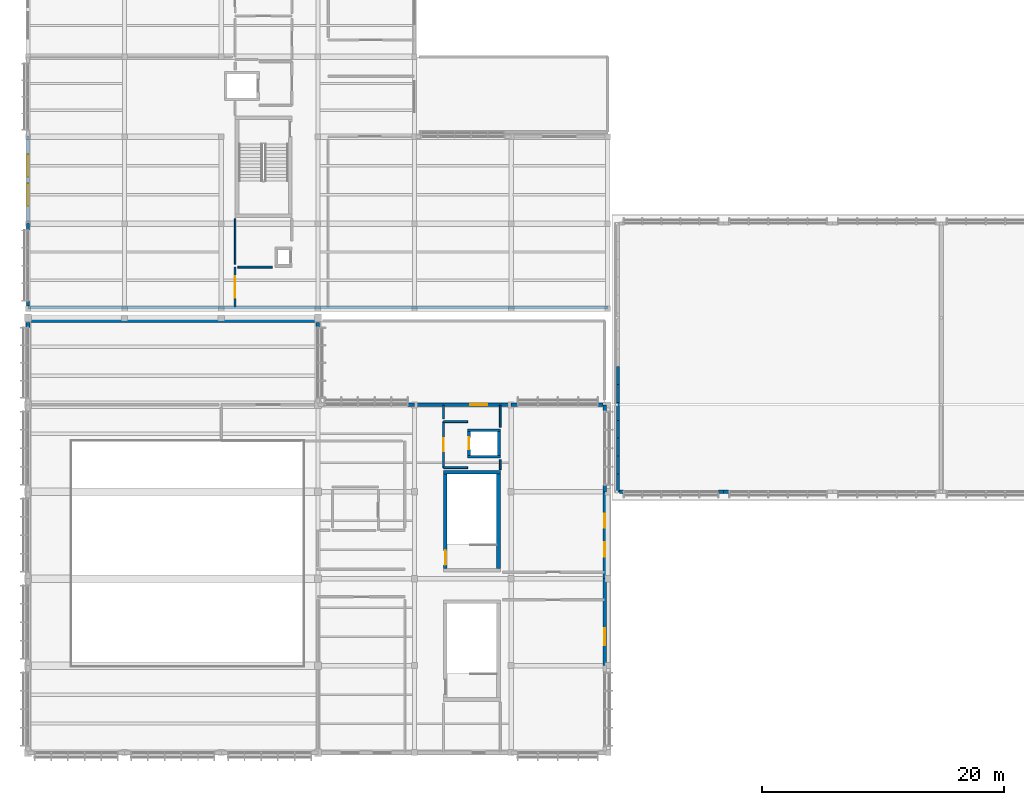
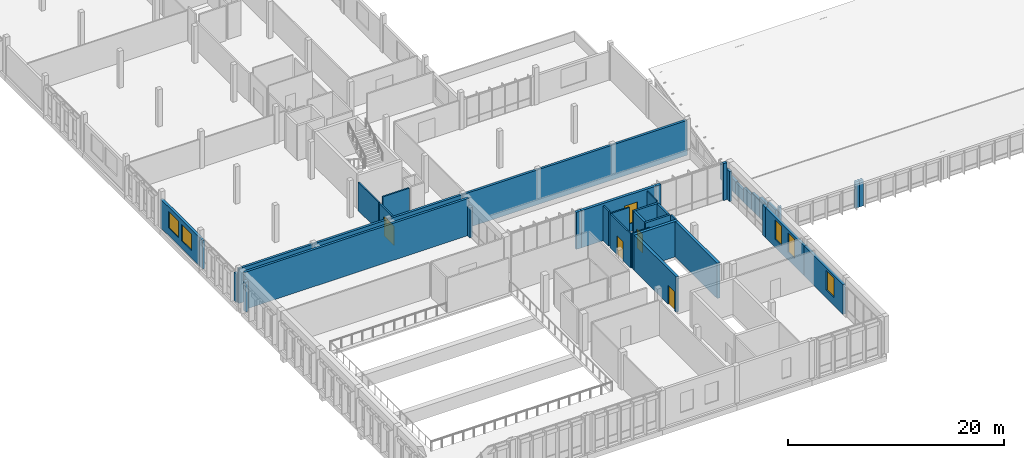
# One storey, part 161 of 182: 41 walls, 6 windows, 4 doors, 10 openings.
"""IFC4 building model written with IfcOpenShell, lengths in metres."""

from ifc_helpers import new_model, si_unit, direction, frame, frame_2d, origin, place, context, subcontext, project, spatial, rectangle, extrude, material, layer, layer_set, type_object, element, fill, save


model = new_model("IFC4")

# Units and contexts
model_context = context("Model", 3, precision=1e-05, world=origin(), true_north=direction((0.0, 1.0)))
body_context = subcontext(model_context, "Body", "Model", "MODEL_VIEW")
ifc_project = project(units=[si_unit("LENGTHUNIT", "METRE"), si_unit("AREAUNIT", "SQUARE_METRE"), si_unit("VOLUMEUNIT", "CUBIC_METRE"), si_unit("PLANEANGLEUNIT", "RADIAN"), si_unit("MASSUNIT", "GRAM", prefix="KILO")], contexts=[model_context])

# Site, building, storey
site_placement = place(None, origin())
site = spatial("IfcSite", under=ifc_project, at=site_placement, CompositionType="ELEMENT")
building_placement = place(site_placement, origin())
building = spatial("IfcBuilding", under=site, at=building_placement, Name="Chiffa Square Polytechnic", CompositionType="ELEMENT")
storey_placement = place(building_placement, frame((0.0, 0.0, 9.60009765625)))
storey = spatial("IfcBuildingStorey", under=building, at=storey_placement, Name="L02", CompositionType="ELEMENT", Elevation=9.60009765625)

# Wall
ifc_material_1 = material(Name="Concrete C40/50", Category="concrete")
ifc_layer_1 = layer(ifc_material_1, 0.300048828125, Name="Concrete C40/50")
ifc_layer_set_1 = layer_set([ifc_layer_1], Name="Concrete C40/50")
wall_type_1 = type_object("IfcWallType", Name="WL-CORE-300", PredefinedType="SHEAR", material=ifc_layer_set_1)
wall_1_placement = place(storey_placement, frame((34.39990234375, 23.199951171875, 0.0), z_axis=(0.0, 0.0, 1.0), x_axis=(1.0, 0.0, 0.0)))
element("IfcWall", 1, at=wall_1_placement, inside=storey, type_object=wall_type_1, Name="Core or enclosure wall WC-CORE-V3B-L02-NORTH", PredefinedType="SHEAR", context=body_context, shape_type="SweptSolid", body=[
    extrude(rectangle(XDim=4.7001953125, YDim=0.300048828125, at=frame_2d((2.35009765625, 0.0))), origin(), (0.0, 0.0, 1.0), 4.0),
])

# Wall, opening, door
wall_2_placement = place(storey_placement, frame((34.550048828125, 15.25, 0.0), z_axis=(0.0, 0.0, 1.0), x_axis=(0.0, 1.0, 0.0)))
wall_2 = element("IfcWall", 2, at=wall_2_placement, inside=storey, type_object=wall_type_1, Name="Core or enclosure wall WC-CORE-V3B-L02-WEST", PredefinedType="SHEAR", context=body_context, shape_type="SweptSolid", body=[
    extrude(rectangle(XDim=7.800048828125, YDim=0.300048828125, at=frame_2d((3.89990234375, 0.0))), origin(), (0.0, 0.0, 1.0), 4.0),
])
opening_1_placement = place(wall_2_placement, frame((0.300048828125, 0.0, 0.0)))
opening_1 = element("IfcOpeningElement", 3, at=opening_1_placement, cuts=wall_2, Name="Opening DS-L02-026", PredefinedType="OPENING", context=body_context, shape_type="SweptSolid", body=[
    extrude(rectangle(XDim=1.199951171875, YDim=2.14990234375, at=frame_2d((0.60009765625, 1.074951171875))), frame((0.0, 0.16015625, 0.0), z_axis=(0.0, -1.0, 0.0), x_axis=(1.0, 0.0, 0.0)), (0.0, 0.0, 1.0), 0.320068359375),
])
ifc_material_2 = material(Name="Fire-rated painted steel leaf", Category="steel")
door_type_1 = type_object("IfcDoorType", Name="DR-STAIR-1200", OperationType="NOTDEFINED", PredefinedType="DOOR", material=ifc_material_2)
door_1_placement = place(opening_1_placement, origin())
door_1 = element("IfcDoor", 4, at=door_1_placement, inside=storey, type_object=door_type_1, Name="Enclosure door DS-L02-026", OperationType="SINGLE_SWING_RIGHT", OverallHeight=2.14990234375, OverallWidth=1.199951171875, PredefinedType="DOOR", context=body_context, shape_type="SweptSolid", body=[
    extrude(rectangle(XDim=1.199951171875, YDim=2.14990234375, at=frame_2d((0.60009765625, 1.074951171875))), frame((0.0, 0.02490234375, 0.0), z_axis=(0.0, -1.0, 0.0), x_axis=(1.0, 0.0, 0.0)), (0.0, 0.0, 1.0), 0.050048828125),
])
fill(opening_1, door_1)

# Walls
wall_3_placement = place(storey_placement, frame((38.949951171875, 15.25, 0.0), z_axis=(0.0, 0.0, 1.0), x_axis=(0.0, 1.0, 0.0)))
element("IfcWall", 5, at=wall_3_placement, inside=storey, type_object=wall_type_1, Name="Core or enclosure wall WC-CORE-V3B-L02-EAST", PredefinedType="SHEAR", context=body_context, shape_type="SweptSolid", body=[
    extrude(rectangle(XDim=7.800048828125, YDim=0.300048828125, at=frame_2d((3.89990234375, 0.0))), origin(), (0.0, 0.0, 1.0), 4.0),
])
ifc_material_3 = material(Name="Precast concrete C40/50", Category="concrete")
ifc_layer_2 = layer(ifc_material_3, 0.239990234375, Name="Precast concrete C40/50")
ifc_layer_set_2 = layer_set([ifc_layer_2], Name="Precast concrete C40/50")
wall_type_2 = type_object("IfcWallType", Name="WL-EXT-PC240", PredefinedType="SOLIDWALL", material=ifc_layer_set_2)
wall_4_placement = place(storey_placement, frame((0.0, 43.800048828125, 0.0), z_axis=(0.0, 0.0, 1.0), x_axis=(0.0, -1.0, 0.0)))
element("IfcWall", 6, at=wall_4_placement, inside=storey, type_object=wall_type_2, Name="Facade column pier V6-L02-0448L", PredefinedType="SOLIDWALL", context=body_context, shape_type="SweptSolid", body=[
    extrude(rectangle(XDim=0.5400390625, YDim=0.239990234375, at=frame_2d((0.27001953125, 0.0))), origin(), (0.0, 0.0, 1.0), 3.224853515625),
])
wall_5_placement = place(storey_placement, frame((0.0, 37.389892578125, 0.0), z_axis=(0.0, 0.0, 1.0), x_axis=(0.0, -1.0, 0.0)))
element("IfcWall", 7, at=wall_5_placement, inside=storey, type_object=wall_type_2, Name="Facade column pier V6-L02-0448R", PredefinedType="SOLIDWALL", context=body_context, shape_type="SweptSolid", body=[
    extrude(rectangle(XDim=0.412841796875, YDim=0.239990234375, at=frame_2d((0.20654296875, 0.0))), origin(), (0.0, 0.0, 1.0), 3.224853515625),
])
ifc_layer_3 = layer(ifc_material_3, 0.260009765625, Name="Precast concrete C40/50")
ifc_layer_set_3 = layer_set([ifc_layer_3], Name="Precast concrete C40/50")
wall_type_3 = type_object("IfcWallType", Name="WL-EXT-PC260", PredefinedType="SOLIDWALL", material=ifc_layer_set_3)
wall_6_placement = place(storey_placement, frame((48.98193359375, 21.60009765625, 0.0), z_axis=(0.0, 0.0, 1.0), x_axis=(1.0, 0.0, 0.0)))
element("IfcWall", 8, at=wall_6_placement, inside=storey, type_object=wall_type_3, Name="Refectory south clerestory pier WE-V4-CLRS-P1L", PredefinedType="SOLIDWALL", context=body_context, shape_type="SweptSolid", body=[
    extrude(rectangle(XDim=0.30810546875, YDim=0.260009765625, at=frame_2d((0.154052734375, 0.0))), origin(), (0.0, 0.0, 1.0), 2.98193359375),
])
wall_7_placement = place(storey_placement, frame((57.159912109375, 21.60009765625, 0.0), z_axis=(0.0, 0.0, 1.0), x_axis=(1.0, 0.0, 0.0)))
element("IfcWall", 9, at=wall_7_placement, inside=storey, type_object=wall_type_3, Name="Refectory south clerestory pier WE-V4-CLRS-P1R", PredefinedType="SOLIDWALL", context=body_context, shape_type="SweptSolid", body=[
    extrude(rectangle(XDim=0.440185546875, YDim=0.260009765625, at=frame_2d((0.22021484375, 0.0))), origin(), (0.0, 0.0, 1.0), 2.98193359375),
])
wall_8_placement = place(storey_placement, frame((57.60009765625, 21.60009765625, 0.0), z_axis=(0.0, 0.0, 1.0), x_axis=(1.0, 0.0, 0.0)))
element("IfcWall", 10, at=wall_8_placement, inside=storey, type_object=wall_type_3, Name="Refectory south clerestory pier WE-V4-CLRS-P2L", PredefinedType="SOLIDWALL", context=body_context, shape_type="SweptSolid", body=[
    extrude(rectangle(XDim=0.43994140625, YDim=0.260009765625, at=frame_2d((0.219970703125, 0.0))), origin(), (0.0, 0.0, 1.0), 2.98193359375),
])
wall_9_placement = place(storey_placement, frame((48.85009765625, 21.60009765625, 0.0), z_axis=(0.0, 0.0, 1.0), x_axis=(0.0, 1.0, 0.0)))
element("IfcWall", 11, at=wall_9_placement, inside=storey, type_object=wall_type_3, Name="Stepped gable infill wall WE-V4-GBL-W-01", PredefinedType="SOLIDWALL", context=body_context, shape_type="SweptSolid", body=[
    extrude(rectangle(XDim=1.47998046875, YDim=0.260009765625, at=frame_2d((0.739990234375, 0.0))), origin(), (0.0, 0.0, 1.0), 2.69189453125),
])
wall_10_placement = place(storey_placement, frame((48.85009765625, 23.080078125, 0.0), z_axis=(0.0, 0.0, 1.0), x_axis=(0.0, 1.0, 0.0)))
element("IfcWall", 12, at=wall_10_placement, inside=storey, type_object=wall_type_3, Name="Stepped gable infill wall WE-V4-GBL-W-02", PredefinedType="SOLIDWALL", context=body_context, shape_type="SweptSolid", body=[
    extrude(rectangle(XDim=1.47998046875, YDim=0.260009765625, at=frame_2d((0.739990234375, 0.0))), origin(), (0.0, 0.0, 1.0), 2.349853515625),
])
wall_11_placement = place(storey_placement, frame((48.85009765625, 24.56005859375, 0.0), z_axis=(0.0, 0.0, 1.0), x_axis=(0.0, 1.0, 0.0)))
element("IfcWall", 13, at=wall_11_placement, inside=storey, type_object=wall_type_3, Name="Stepped gable infill wall WE-V4-GBL-W-03", PredefinedType="SOLIDWALL", context=body_context, shape_type="SweptSolid", body=[
    extrude(rectangle(XDim=1.47998046875, YDim=0.260009765625, at=frame_2d((0.739990234375, 0.0))), origin(), (0.0, 0.0, 1.0), 2.0078125),
])
wall_12_placement = place(storey_placement, frame((48.85009765625, 26.0400390625, 0.0), z_axis=(0.0, 0.0, 1.0), x_axis=(0.0, 1.0, 0.0)))
element("IfcWall", 14, at=wall_12_placement, inside=storey, type_object=wall_type_3, Name="Stepped gable infill wall WE-V4-GBL-W-04", PredefinedType="SOLIDWALL", context=body_context, shape_type="SweptSolid", body=[
    extrude(rectangle(XDim=1.47998046875, YDim=0.260009765625, at=frame_2d((0.739990234375, 0.0))), origin(), (0.0, 0.0, 1.0), 1.6669921875),
])
wall_13_placement = place(storey_placement, frame((48.85009765625, 27.52001953125, 0.0), z_axis=(0.0, 0.0, 1.0), x_axis=(0.0, 1.0, 0.0)))
element("IfcWall", 15, at=wall_13_placement, inside=storey, type_object=wall_type_3, Name="Stepped gable infill wall WE-V4-GBL-W-05", PredefinedType="SOLIDWALL", context=body_context, shape_type="SweptSolid", body=[
    extrude(rectangle(XDim=1.47998046875, YDim=0.260009765625, at=frame_2d((0.739990234375, 0.0))), origin(), (0.0, 0.0, 1.0), 1.324951171875),
])
wall_14_placement = place(storey_placement, frame((48.85009765625, 29.0, 0.0), z_axis=(0.0, 0.0, 1.0), x_axis=(0.0, 1.0, 0.0)))
element("IfcWall", 16, at=wall_14_placement, inside=storey, type_object=wall_type_3, Name="Stepped gable infill wall WE-V4-GBL-W-06", PredefinedType="SOLIDWALL", context=body_context, shape_type="SweptSolid", body=[
    extrude(rectangle(XDim=1.47998046875, YDim=0.260009765625, at=frame_2d((0.739990234375, 0.0))), origin(), (0.0, 0.0, 1.0), 1.4169921875),
])
wall_15_placement = place(storey_placement, frame((48.85009765625, 30.47998046875, 0.0), z_axis=(0.0, 0.0, 1.0), x_axis=(0.0, 1.0, 0.0)))
element("IfcWall", 17, at=wall_15_placement, inside=storey, type_object=wall_type_3, Name="Stepped gable infill wall WE-V4-GBL-W-07", PredefinedType="SOLIDWALL", context=body_context, shape_type="SweptSolid", body=[
    extrude(rectangle(XDim=1.47998046875, YDim=0.260009765625, at=frame_2d((0.739990234375, 0.0))), origin(), (0.0, 0.0, 1.0), 1.7587890625),
])

# Wall, opening, window
ifc_layer_4 = layer(ifc_material_3, 0.280029296875, Name="Precast concrete C40/50")
ifc_layer_set_4 = layer_set([ifc_layer_4], Name="Precast concrete C40/50")
wall_type_4 = type_object("IfcWallType", Name="WL-EXT-PC280", PredefinedType="SOLIDWALL", material=ifc_layer_set_4)
wall_16_placement = place(storey_placement, frame((47.75, 7.199951171875, 0.0), z_axis=(0.0, 0.0, 1.0), x_axis=(0.0, 1.0, 0.0)))
wall_16 = element("IfcWall", 18, at=wall_16_placement, inside=storey, type_object=wall_type_4, Name="Exterior wall WE-V3-L02-0172", PredefinedType="SOLIDWALL", context=body_context, shape_type="SweptSolid", body=[
    extrude(rectangle(XDim=7.199951171875, YDim=0.280029296875, at=frame_2d((3.60009765625, 0.0))), origin(), (0.0, 0.0, 1.0), 3.385009765625),
])
opening_2_placement = place(wall_16_placement, frame((1.699951171875, 0.0, 0.89990234375)))
opening_2 = element("IfcOpeningElement", 19, at=opening_2_placement, cuts=wall_16, Name="Opening W-23", PredefinedType="OPENING", context=body_context, shape_type="SweptSolid", body=[
    extrude(rectangle(XDim=1.39990234375, YDim=2.199951171875, at=frame_2d((0.699951171875, 1.10009765625))), frame((0.0, 0.14990234375, 0.0), z_axis=(0.0, -1.0, 0.0), x_axis=(1.0, 0.0, 0.0)), (0.0, 0.0, 1.0), 0.300048828125),
])
ifc_material_4 = material(Name="Double glazing in thermally broken aluminium frame", Category="aluminium")
window_type_1 = type_object("IfcWindowType", Name="WIN-LEC-1400X2200", PartitioningType="DOUBLE_PANEL_VERTICAL", PredefinedType="WINDOW", material=ifc_material_4)
window_1_placement = place(opening_2_placement, origin())
window_1 = element("IfcWindow", 20, at=window_1_placement, inside=storey, type_object=window_type_1, Name="Facade window WN-L02-0132", OverallHeight=2.199951171875, OverallWidth=1.39990234375, PartitioningType="DOUBLE_PANEL_VERTICAL", PredefinedType="WINDOW", context=body_context, shape_type="SweptSolid", body=[
    extrude(rectangle(XDim=1.39990234375, YDim=2.199951171875, at=frame_2d((0.699951171875, 1.10009765625))), frame((0.0, 0.030029296875, 0.0), z_axis=(0.0, -1.0, 0.0), x_axis=(1.0, 0.0, 0.0)), (0.0, 0.0, 1.0), 0.06005859375),
])
fill(opening_2, window_1)

# Wall, openings, windows
wall_17_placement = place(storey_placement, frame((47.75, 14.39990234375, 0.0), z_axis=(0.0, 0.0, 1.0), x_axis=(0.0, 1.0, 0.0)))
wall_17 = element("IfcWall", 21, at=wall_17_placement, inside=storey, type_object=wall_type_4, Name="Exterior wall WE-V3-L02-0173", PredefinedType="SOLIDWALL", context=body_context, shape_type="SweptSolid", body=[
    extrude(rectangle(XDim=7.2001953125, YDim=0.280029296875, at=frame_2d((3.60009765625, 0.0))), origin(), (0.0, 0.0, 1.0), 3.385009765625),
])
opening_3_placement = place(wall_17_placement, frame((1.800048828125, 0.0, 0.89990234375)))
opening_3 = element("IfcOpeningElement", 22, at=opening_3_placement, cuts=wall_17, Name="Opening W-24", PredefinedType="OPENING", context=body_context, shape_type="SweptSolid", body=[
    extrude(rectangle(XDim=1.199951171875, YDim=2.199951171875, at=frame_2d((0.60009765625, 1.10009765625))), frame((0.0, 0.14990234375, 0.0), z_axis=(0.0, -1.0, 0.0), x_axis=(1.0, 0.0, 0.0)), (0.0, 0.0, 1.0), 0.300048828125),
])
opening_4_placement = place(wall_17_placement, frame((4.199951171875, 0.0, 0.89990234375)))
opening_4 = element("IfcOpeningElement", 23, at=opening_4_placement, cuts=wall_17, Name="Opening W-24", PredefinedType="OPENING", context=body_context, shape_type="SweptSolid", body=[
    extrude(rectangle(XDim=1.199951171875, YDim=2.199951171875, at=frame_2d((0.60009765625, 1.10009765625))), frame((0.0, 0.14990234375, 0.0), z_axis=(0.0, -1.0, 0.0), x_axis=(1.0, 0.0, 0.0)), (0.0, 0.0, 1.0), 0.300048828125),
])
window_type_2 = type_object("IfcWindowType", Name="WIN-LEC-1200X2200", PartitioningType="DOUBLE_PANEL_VERTICAL", PredefinedType="WINDOW", material=ifc_material_4)
window_2_placement = place(opening_3_placement, origin())
window_2 = element("IfcWindow", 24, at=window_2_placement, inside=storey, type_object=window_type_2, Name="Facade window WN-L02-0133", OverallHeight=2.199951171875, OverallWidth=1.199951171875, PartitioningType="DOUBLE_PANEL_VERTICAL", PredefinedType="WINDOW", context=body_context, shape_type="SweptSolid", body=[
    extrude(rectangle(XDim=1.199951171875, YDim=2.199951171875, at=frame_2d((0.60009765625, 1.10009765625))), frame((0.0, 0.030029296875, 0.0), z_axis=(0.0, -1.0, 0.0), x_axis=(1.0, 0.0, 0.0)), (0.0, 0.0, 1.0), 0.06005859375),
])
fill(opening_3, window_2)
window_3_placement = place(opening_4_placement, origin())
window_3 = element("IfcWindow", 25, at=window_3_placement, inside=storey, type_object=window_type_2, Name="Facade window WN-L02-0134", OverallHeight=2.199951171875, OverallWidth=1.199951171875, PartitioningType="DOUBLE_PANEL_VERTICAL", PredefinedType="WINDOW", context=body_context, shape_type="SweptSolid", body=[
    extrude(rectangle(XDim=1.199951171875, YDim=2.199951171875, at=frame_2d((0.60009765625, 1.10009765625))), frame((0.0, 0.030029296875, 0.0), z_axis=(0.0, -1.0, 0.0), x_axis=(1.0, 0.0, 0.0)), (0.0, 0.0, 1.0), 0.06005859375),
])
fill(opening_4, window_3)

# Walls
wall_18_placement = place(storey_placement, frame((47.75, 21.60009765625, 0.0), z_axis=(0.0, 0.0, 1.0), x_axis=(0.0, 1.0, 0.0)))
element("IfcWall", 26, at=wall_18_placement, inside=storey, type_object=wall_type_4, Name="Facade column pier V3-L02-0174L", PredefinedType="SOLIDWALL", context=body_context, shape_type="SweptSolid", body=[
    extrude(rectangle(XDim=0.539794921875, YDim=0.280029296875, at=frame_2d((0.27001953125, 0.0))), origin(), (0.0, 0.0, 1.0), 3.385009765625),
])
wall_19_placement = place(storey_placement, frame((47.75, 28.260009765625, 0.0), z_axis=(0.0, 0.0, 1.0), x_axis=(0.0, 1.0, 0.0)))
element("IfcWall", 27, at=wall_19_placement, inside=storey, type_object=wall_type_4, Name="Facade column pier V3-L02-0174R", PredefinedType="SOLIDWALL", context=body_context, shape_type="SweptSolid", body=[
    extrude(rectangle(XDim=0.5400390625, YDim=0.280029296875, at=frame_2d((0.27001953125, 0.0))), origin(), (0.0, 0.0, 1.0), 3.385009765625),
])
wall_20_placement = place(storey_placement, frame((47.60791015625, 28.800048828125, 0.0), z_axis=(0.0, 0.0, 1.0), x_axis=(-1.0, 0.0, 0.0)))
element("IfcWall", 28, at=wall_20_placement, inside=storey, type_object=wall_type_4, Name="Facade column pier V3-L02-0175L", PredefinedType="SOLIDWALL", context=body_context, shape_type="SweptSolid", body=[
    extrude(rectangle(XDim=0.39794921875, YDim=0.280029296875, at=frame_2d((0.198974609375, 0.0))), origin(), (0.0, 0.0, 1.0), 4.199951171875),
])
wall_21_placement = place(storey_placement, frame((40.5400390625, 28.800048828125, 0.0), z_axis=(0.0, 0.0, 1.0), x_axis=(-1.0, 0.0, 0.0)))
element("IfcWall", 29, at=wall_21_placement, inside=storey, type_object=wall_type_4, Name="Facade column pier V3-L02-0175R", PredefinedType="SOLIDWALL", context=body_context, shape_type="SweptSolid", body=[
    extrude(rectangle(XDim=0.5400390625, YDim=0.280029296875, at=frame_2d((0.27001953125, 0.0))), origin(), (0.0, 0.0, 1.0), 4.199951171875),
])

# Wall, opening, window
wall_22_placement = place(storey_placement, frame((40.0, 28.800048828125, 0.0), z_axis=(0.0, 0.0, 1.0), x_axis=(-1.0, 0.0, 0.0)))
wall_22 = element("IfcWall", 30, at=wall_22_placement, inside=storey, type_object=wall_type_4, Name="Exterior wall WE-V3-L02-0176", PredefinedType="SOLIDWALL", context=body_context, shape_type="SweptSolid", body=[
    extrude(rectangle(XDim=8.0, YDim=0.280029296875, at=frame_2d((4.0, 0.0))), origin(), (0.0, 0.0, 1.0), 4.199951171875),
])
opening_5_placement = place(wall_22_placement, frame((1.967041015625, 0.0, 0.89990234375)))
opening_5 = element("IfcOpeningElement", 31, at=opening_5_placement, cuts=wall_22, Name="Opening W-23", PredefinedType="OPENING", context=body_context, shape_type="SweptSolid", body=[
    extrude(rectangle(XDim=1.39990234375, YDim=2.199951171875, at=frame_2d((0.699951171875, 1.10009765625))), frame((0.0, 0.14990234375, 0.0), z_axis=(0.0, -1.0, 0.0), x_axis=(1.0, 0.0, 0.0)), (0.0, 0.0, 1.0), 0.300048828125),
])
window_4_placement = place(opening_5_placement, origin())
window_4 = element("IfcWindow", 32, at=window_4_placement, inside=storey, type_object=window_type_1, Name="Facade window WN-L02-0135", OverallHeight=2.199951171875, OverallWidth=1.39990234375, PartitioningType="DOUBLE_PANEL_VERTICAL", PredefinedType="WINDOW", context=body_context, shape_type="SweptSolid", body=[
    extrude(rectangle(XDim=1.39990234375, YDim=2.199951171875, at=frame_2d((0.699951171875, 1.10009765625))), frame((0.0, 0.030029296875, 0.0), z_axis=(0.0, -1.0, 0.0), x_axis=(1.0, 0.0, 0.0)), (0.0, 0.0, 1.0), 0.06005859375),
])
fill(opening_5, window_4)

# Wall
wall_23_placement = place(storey_placement, frame((32.0, 28.800048828125, 0.0), z_axis=(0.0, 0.0, 1.0), x_axis=(-1.0, 0.0, 0.0)))
element("IfcWall", 33, at=wall_23_placement, inside=storey, type_object=wall_type_4, Name="Facade column pier V3-L02-0177L", PredefinedType="SOLIDWALL", context=body_context, shape_type="SweptSolid", body=[
    extrude(rectangle(XDim=0.5400390625, YDim=0.280029296875, at=frame_2d((0.27001953125, 0.0))), origin(), (0.0, 0.0, 1.0), 4.199951171875),
])

# Wall, openings, windows
wall_24_placement = place(storey_placement, frame((0.0, 51.0, 0.0), z_axis=(0.0, 0.0, 1.0), x_axis=(0.0, -1.0, 0.0)))
wall_24 = element("IfcWall", 34, at=wall_24_placement, inside=storey, type_object=wall_type_4, Name="Exterior wall WE-V6-L02-0447", PredefinedType="SOLIDWALL", context=body_context, shape_type="SweptSolid", body=[
    extrude(rectangle(XDim=7.199951171875, YDim=0.280029296875, at=frame_2d((3.60009765625, 0.0))), origin(), (0.0, 0.0, 1.0), 3.224853515625),
])
opening_6_placement = place(wall_24_placement, frame((1.47509765625, 0.0, 0.85009765625)))
opening_6 = element("IfcOpeningElement", 35, at=opening_6_placement, cuts=wall_24, Name="Opening W-13", PredefinedType="OPENING", context=body_context, shape_type="SweptSolid", body=[
    extrude(rectangle(XDim=1.85009765625, YDim=1.89990234375, at=frame_2d((0.925048828125, 0.949951171875))), frame((0.0, 0.14990234375, 0.0), z_axis=(0.0, -1.0, 0.0), x_axis=(1.0, 0.0, 0.0)), (0.0, 0.0, 1.0), 0.300048828125),
])
opening_7_placement = place(wall_24_placement, frame((3.875, 0.0, 0.85009765625)))
opening_7 = element("IfcOpeningElement", 36, at=opening_7_placement, cuts=wall_24, Name="Opening W-13", PredefinedType="OPENING", context=body_context, shape_type="SweptSolid", body=[
    extrude(rectangle(XDim=1.85009765625, YDim=1.89990234375, at=frame_2d((0.925048828125, 0.949951171875))), frame((0.0, 0.14990234375, 0.0), z_axis=(0.0, -1.0, 0.0), x_axis=(1.0, 0.0, 0.0)), (0.0, 0.0, 1.0), 0.300048828125),
])
window_type_3 = type_object("IfcWindowType", Name="WIN-STD-1850X1900", PartitioningType="DOUBLE_PANEL_VERTICAL", PredefinedType="WINDOW", material=ifc_material_4)
window_5_placement = place(opening_6_placement, origin())
window_5 = element("IfcWindow", 37, at=window_5_placement, inside=storey, type_object=window_type_3, Name="Facade window WN-L02-0299", OverallHeight=1.89990234375, OverallWidth=1.85009765625, PartitioningType="DOUBLE_PANEL_VERTICAL", PredefinedType="WINDOW", context=body_context, shape_type="SweptSolid", body=[
    extrude(rectangle(XDim=1.85009765625, YDim=1.89990234375, at=frame_2d((0.925048828125, 0.949951171875))), frame((0.0, 0.030029296875, 0.0), z_axis=(0.0, -1.0, 0.0), x_axis=(1.0, 0.0, 0.0)), (0.0, 0.0, 1.0), 0.06005859375),
])
fill(opening_6, window_5)
window_6_placement = place(opening_7_placement, origin())
window_6 = element("IfcWindow", 38, at=window_6_placement, inside=storey, type_object=window_type_3, Name="Facade window WN-L02-0300", OverallHeight=1.89990234375, OverallWidth=1.85009765625, PartitioningType="DOUBLE_PANEL_VERTICAL", PredefinedType="WINDOW", context=body_context, shape_type="SweptSolid", body=[
    extrude(rectangle(XDim=1.85009765625, YDim=1.89990234375, at=frame_2d((0.925048828125, 0.949951171875))), frame((0.0, 0.030029296875, 0.0), z_axis=(0.0, -1.0, 0.0), x_axis=(1.0, 0.0, 0.0)), (0.0, 0.0, 1.0), 0.06005859375),
])
fill(opening_7, window_6)

# Walls
ifc_layer_5 = layer(ifc_material_3, 0.300048828125, Name="Precast concrete C40/50")
ifc_layer_set_5 = layer_set([ifc_layer_5], Name="Precast concrete C40/50")
wall_type_5 = type_object("IfcWallType", Name="WL-EXT-PC300", PredefinedType="SOLIDWALL", material=ifc_layer_set_5)
for number, where, z_axis, x_axis, name in (
    (39, (24.0, 35.2099609375, 0.0), (0.0, 0.0, 1.0), (0.0, 1.0, 0.0), "Facade column pier V3-L02-0178R"),
    (40, (0.0, 35.623046875, 0.0), (0.0, 0.0, 1.0), (0.0, -1.0, 0.0), "Facade column pier V3-L02-0180L"),
):
    element("IfcWall", number, at=place(storey_placement, frame(where, z_axis=z_axis, x_axis=x_axis)), inside=storey, type_object=wall_type_5, Name=name, PredefinedType="SOLIDWALL", context=body_context, shape_type="SweptSolid", body=[
        extrude(rectangle(XDim=0.4130859375, YDim=0.300048828125, at=frame_2d((0.20654296875, 0.0))), origin(), (0.0, 0.0, 1.0), 3.385009765625),
    ])
ifc_material_5 = material(Name="Gypsum board on steel stud", Category="steel")
ifc_layer_6 = layer(ifc_material_5, 0.125, Name="Gypsum board on steel stud")
ifc_layer_set_6 = layer_set([ifc_layer_6], Name="Gypsum board on steel stud")
wall_type_6 = type_object("IfcWallType", Name="WL-PART-125", PredefinedType="PARTITIONING", material=ifc_layer_set_6)
wall_25_placement = place(storey_placement, frame((17.14990234375, 40.419921875, 0.0), z_axis=(0.0, 0.0, 1.0), x_axis=(0.0, 1.0, 0.0)))
element("IfcWall", 41, at=wall_25_placement, inside=storey, type_object=wall_type_6, Name="Interior partition WP-V6-L02-0464", PredefinedType="PARTITIONING", context=body_context, shape_type="SweptSolid", body=[
    extrude(rectangle(XDim=3.7900390625, YDim=0.125, at=frame_2d((1.89501953125, 0.0))), origin(), (0.0, 0.0, 1.0), 3.224853515625),
])
ifc_layer_7 = layer(ifc_material_5, 0.135009765625, Name="Gypsum board on steel stud")
ifc_layer_set_7 = layer_set([ifc_layer_7], Name="Gypsum board on steel stud")
wall_type_7 = type_object("IfcWallType", Name="WL-PART-135", PredefinedType="PARTITIONING", material=ifc_layer_set_7)
wall_26_placement = place(storey_placement, frame((39.10009765625, 26.929931640625, 0.0), z_axis=(0.0, 0.0, 1.0), x_axis=(0.0, 1.0, 0.0)))
element("IfcWall", 42, at=wall_26_placement, inside=storey, type_object=wall_type_7, Name="Interior partition WP-V3-L02-0421", PredefinedType="PARTITIONING", context=body_context, shape_type="SweptSolid", body=[
    extrude(rectangle(XDim=1.815185546875, YDim=0.135009765625, at=frame_2d((0.90771484375, 0.0))), origin(), (0.0, 0.0, 1.0), 3.93994140625),
])
ifc_layer_8 = layer(ifc_material_5, 0.14501953125, Name="Gypsum board on steel stud")
ifc_layer_set_8 = layer_set([ifc_layer_8], Name="Gypsum board on steel stud")
wall_type_8 = type_object("IfcWallType", Name="WL-PART-145", PredefinedType="PARTITIONING", material=ifc_layer_set_8)
wall_27_placement = place(storey_placement, frame((39.10009765625, 23.43994140625, 0.0), z_axis=(0.0, 0.0, 1.0), x_axis=(0.0, 1.0, 0.0)))
element("IfcWall", 43, at=wall_27_placement, inside=storey, type_object=wall_type_8, Name="Interior partition WP-V3-L02-0420", PredefinedType="PARTITIONING", context=body_context, shape_type="SweptSolid", body=[
    extrude(rectangle(XDim=0.830078125, YDim=0.14501953125, at=frame_2d((0.4150390625, 0.0))), origin(), (0.0, 0.0, 1.0), 3.93994140625),
])
ifc_material_6 = material(Name="Gypsum board on acoustic steel stud", Category="steel")
ifc_layer_9 = layer(ifc_material_6, 0.159912109375, Name="Gypsum board on acoustic steel stud")
ifc_layer_set_9 = layer_set([ifc_layer_9], Name="Gypsum board on acoustic steel stud")
wall_type_9 = type_object("IfcWallType", Name="WL-PART-EI60-160", PredefinedType="PARTITIONING", material=ifc_layer_set_9)
for number, where, z_axis, x_axis, name in (
    (44, (34.39990234375, 23.60009765625, 0.0), (0.0, 0.0, 1.0), (1.0, 0.0, 0.0), "Lift lobby rated enclosure WP-LOB-LP-V3-L02-SOUTH"),
    (45, (34.39990234375, 27.39990234375, 0.0), (0.0, 0.0, 1.0), (1.0, 0.0, 0.0), "Lift lobby rated enclosure WP-LOB-LP-V3-L02-NORTH"),
):
    element("IfcWall", number, at=place(storey_placement, frame(where, z_axis=z_axis, x_axis=x_axis)), inside=storey, type_object=wall_type_9, Name=name, PredefinedType="PARTITIONING", context=body_context, shape_type="SweptSolid", body=[
        extrude(rectangle(XDim=2.0, YDim=0.159912109375, at=frame_2d((1.0, 0.0))), origin(), (0.0, 0.0, 1.0), 3.849853515625),
    ])

# Wall, opening, door
wall_28_placement = place(storey_placement, frame((34.39990234375, 23.60009765625, 0.0), z_axis=(0.0, 0.0, 1.0), x_axis=(0.0, 1.0, 0.0)))
wall_28 = element("IfcWall", 46, at=wall_28_placement, inside=storey, type_object=wall_type_9, Name="Lift lobby rated enclosure WP-LOB-LP-V3-L02-WEST", PredefinedType="PARTITIONING", context=body_context, shape_type="SweptSolid", body=[
    extrude(rectangle(XDim=3.7998046875, YDim=0.159912109375, at=frame_2d((1.89990234375, 0.0))), origin(), (0.0, 0.0, 1.0), 3.849853515625),
])
opening_8_placement = place(wall_28_placement, frame((1.35009765625, 0.0, 0.0)))
opening_8 = element("IfcOpeningElement", 47, at=opening_8_placement, cuts=wall_28, Name="Opening DI-L02-029", PredefinedType="OPENING", context=body_context, shape_type="SweptSolid", body=[
    extrude(rectangle(XDim=1.10009765625, YDim=2.14990234375, at=frame_2d((0.550048828125, 1.074951171875))), frame((0.0, 0.08984375, 0.0), z_axis=(0.0, -1.0, 0.0), x_axis=(1.0, 0.0, 0.0)), (0.0, 0.0, 1.0), 0.179931640625),
])
ifc_material_7 = material(Name="Solid core ash veneer door")
door_type_2 = type_object("IfcDoorType", Name="DR-INT-1100", OperationType="NOTDEFINED", PredefinedType="DOOR", material=ifc_material_7)
door_2_placement = place(opening_8_placement, origin())
door_2 = element("IfcDoor", 48, at=door_2_placement, inside=storey, type_object=door_type_2, Name="Lift lobby fire door DI-L02-029", OperationType="SINGLE_SWING_RIGHT", OverallHeight=2.14990234375, OverallWidth=1.10009765625, PredefinedType="DOOR", context=body_context, shape_type="SweptSolid", body=[
    extrude(rectangle(XDim=1.10009765625, YDim=2.14990234375, at=frame_2d((0.550048828125, 1.074951171875))), frame((0.0, 0.02490234375, 0.0), z_axis=(0.0, -1.0, 0.0), x_axis=(1.0, 0.0, 0.0)), (0.0, 0.0, 1.0), 0.050048828125),
])
fill(opening_8, door_2)

wall_29_placement = place(storey_placement, frame((17.14990234375, 36.905029296875, 0.0), z_axis=(0.0, 0.0, 1.0), x_axis=(0.0, 1.0, 0.0)))
wall_29 = element("IfcWall", 49, at=wall_29_placement, inside=storey, type_object=wall_type_9, Name="Interior partition WP-V6-L02-0451", PredefinedType="PARTITIONING", context=body_context, shape_type="SweptSolid", body=[
    extrude(rectangle(XDim=3.294921875, YDim=0.159912109375, at=frame_2d((1.6474609375, 0.0))), origin(), (0.0, 0.0, 1.0), 3.224853515625),
])
opening_9_placement = place(wall_29_placement, frame((0.748046875, 0.0, 0.0)))
opening_9 = element("IfcOpeningElement", 50, at=opening_9_placement, cuts=wall_29, Name="Opening DI-L02-179", PredefinedType="OPENING", context=body_context, shape_type="SweptSolid", body=[
    extrude(rectangle(XDim=1.800048828125, YDim=2.199951171875, at=frame_2d((0.89990234375, 1.10009765625))), frame((0.0, 0.08984375, 0.0), z_axis=(0.0, -1.0, 0.0), x_axis=(1.0, 0.0, 0.0)), (0.0, 0.0, 1.0), 0.179931640625),
])
ifc_material_8 = material(Name="Solid oak fire door pair")
door_type_3 = type_object("IfcDoorType", Name="DR-CORR-DBL-1800", OperationType="DOUBLE_DOOR_SINGLE_SWING", PredefinedType="DOOR", material=ifc_material_8)
door_3_placement = place(opening_9_placement, origin())
door_3 = element("IfcDoor", 51, at=door_3_placement, inside=storey, type_object=door_type_3, Name="Interior room door DI-L02-179", OperationType="DOUBLE_DOOR_SINGLE_SWING", OverallHeight=2.199951171875, OverallWidth=1.800048828125, PredefinedType="DOOR", context=body_context, shape_type="SweptSolid", body=[
    extrude(rectangle(XDim=1.800048828125, YDim=2.199951171875, at=frame_2d((0.89990234375, 1.10009765625))), frame((0.0, 0.02490234375, 0.0), z_axis=(0.0, -1.0, 0.0), x_axis=(1.0, 0.0, 0.0)), (0.0, 0.0, 1.0), 0.050048828125),
])
fill(opening_9, door_3)

# Walls
wall_30_placement = place(storey_placement, frame((34.39990234375, 27.639892578125, 0.0), z_axis=(0.0, 0.0, 1.0), x_axis=(0.0, 1.0, 0.0)))
element("IfcWall", 52, at=wall_30_placement, inside=storey, type_object=wall_type_9, Name="Interior partition WP-V3-L02-0497", PredefinedType="PARTITIONING", context=body_context, shape_type="SweptSolid", body=[
    extrude(rectangle(XDim=1.105224609375, YDim=0.159912109375, at=frame_2d((0.552734375, 0.0))), origin(), (0.0, 0.0, 1.0), 3.93994140625),
])
wall_31_placement = place(storey_placement, frame((17.3701171875, 40.199951171875, 0.0), z_axis=(0.0, 0.0, 1.0), x_axis=(1.0, 0.0, 0.0)))
element("IfcWall", 53, at=wall_31_placement, inside=storey, type_object=wall_type_9, Name="Interior partition WP-V6-L02-0503", PredefinedType="PARTITIONING", context=body_context, shape_type="SweptSolid", body=[
    extrude(rectangle(XDim=2.85400390625, YDim=0.159912109375, at=frame_2d((1.427001953125, 0.0))), origin(), (0.0, 0.0, 1.0), 3.93994140625),
])
ifc_material_9 = material(Name="Concrete C35/45", Category="concrete")
ifc_layer_10 = layer(ifc_material_9, 0.219970703125, Name="Concrete C35/45")
ifc_layer_set_10 = layer_set([ifc_layer_10], Name="Concrete C35/45")
wall_type_10 = type_object("IfcWallType", Name="WL-SHAFT-220", PredefinedType="SHEAR", material=ifc_layer_set_10)
for number, where, z_axis, x_axis, name in (
    (54, (36.39990234375, 24.510009765625, 0.0), (0.0, 0.0, 1.0), (1.0, 0.0, 0.0), "Core or enclosure wall WS-LP-V3-L02-SOUTH"),
    (55, (36.39990234375, 26.68994140625, 0.0), (0.0, 0.0, 1.0), (1.0, 0.0, 0.0), "Core or enclosure wall WS-LP-V3-L02-NORTH"),
):
    element("IfcWall", number, at=place(storey_placement, frame(where, z_axis=z_axis, x_axis=x_axis)), inside=storey, type_object=wall_type_10, Name=name, PredefinedType="SHEAR", context=body_context, shape_type="SweptSolid", body=[
        extrude(rectangle(XDim=2.7001953125, YDim=0.219970703125, at=frame_2d((1.35009765625, 0.0))), origin(), (0.0, 0.0, 1.0), 3.849853515625),
    ])

# Wall, opening, door
wall_32_placement = place(storey_placement, frame((36.510009765625, 24.6201171875, 0.0), z_axis=(0.0, 0.0, 1.0), x_axis=(0.0, 1.0, 0.0)))
wall_32 = element("IfcWall", 56, at=wall_32_placement, inside=storey, type_object=wall_type_10, Name="Core or enclosure wall WS-LP-V3-L02-WEST", PredefinedType="SHEAR", context=body_context, shape_type="SweptSolid", body=[
    extrude(rectangle(XDim=1.9599609375, YDim=0.219970703125, at=frame_2d((0.97998046875, 0.0))), origin(), (0.0, 0.0, 1.0), 3.849853515625),
])
opening_10_placement = place(wall_32_placement, frame((0.47998046875, 0.0, 0.0)))
opening_10 = element("IfcOpeningElement", 57, at=opening_10_placement, cuts=wall_32, Name="Opening LD-LP-V3-L02", PredefinedType="OPENING", context=body_context, shape_type="SweptSolid", body=[
    extrude(rectangle(XDim=1.0, YDim=2.14990234375, at=frame_2d((0.5, 1.074951171875))), frame((0.0, 0.1201171875, 0.0), z_axis=(0.0, -1.0, 0.0), x_axis=(1.0, 0.0, 0.0)), (0.0, 0.0, 1.0), 0.239990234375),
])
ifc_material_10 = material(Name="Brushed stainless steel sliding landing door", Category="steel")
door_type_4 = type_object("IfcDoorType", Name="DR-LIFT-1000", OperationType="SLIDING_TO_RIGHT", PredefinedType="DOOR", material=ifc_material_10)
door_4_placement = place(opening_10_placement, origin())
door_4 = element("IfcDoor", 58, at=door_4_placement, inside=storey, type_object=door_type_4, Name="Enclosure door LD-LP-V3-L02", OperationType="SLIDING_TO_LEFT", OverallHeight=2.14990234375, OverallWidth=1.0, PredefinedType="DOOR", context=body_context, shape_type="SweptSolid", body=[
    extrude(rectangle(XDim=1.0, YDim=2.14990234375, at=frame_2d((0.5, 1.074951171875))), frame((0.0, 0.02490234375, 0.0), z_axis=(0.0, -1.0, 0.0), x_axis=(1.0, 0.0, 0.0)), (0.0, 0.0, 1.0), 0.050048828125),
])
fill(opening_10, door_4)

# Walls
wall_33_placement = place(storey_placement, frame((38.989990234375, 24.6201171875, 0.0), z_axis=(0.0, 0.0, 1.0), x_axis=(0.0, 1.0, 0.0)))
element("IfcWall", 59, at=wall_33_placement, inside=storey, type_object=wall_type_10, Name="Core or enclosure wall WS-LP-V3-L02-EAST", PredefinedType="SHEAR", context=body_context, shape_type="SweptSolid", body=[
    extrude(rectangle(XDim=1.9599609375, YDim=0.219970703125, at=frame_2d((0.97998046875, 0.0))), origin(), (0.0, 0.0, 1.0), 3.849853515625),
])
ifc_layer_11 = layer(ifc_material_9, 0.25, Name="Concrete C35/45")
ifc_layer_set_11 = layer_set([ifc_layer_11], Name="Concrete C35/45")
wall_type_11 = type_object("IfcWallType", Name="WL-SJ-250", PredefinedType="SHEAR", material=ifc_layer_set_11)
wall_34_placement = place(storey_placement, frame((24.0, 35.75, 0.0), z_axis=(0.0, 0.0, 1.0), x_axis=(-1.0, 0.0, 0.0)))
element("IfcWall", 60, at=wall_34_placement, inside=storey, type_object=wall_type_11, Name="Seismic-joint fire wall WE-V3-L02-0179", PredefinedType="SHEAR", context=body_context, shape_type="SweptSolid", body=[
    extrude(rectangle(XDim=24.0, YDim=0.25, at=frame_2d((12.0, 0.0))), origin(), (0.0, 0.0, 1.0), 4.199951171875),
])
wall_35_placement = place(storey_placement, frame((0.0, 36.85009765625, 0.0), z_axis=(0.0, 0.0, 1.0), x_axis=(1.0, 0.0, 0.0)))
element("IfcWall", 61, at=wall_35_placement, inside=storey, type_object=wall_type_11, Name="Seismic-joint fire wall WE-V6-L02-0428", PredefinedType="SHEAR", context=body_context, shape_type="SweptSolid", body=[
    extrude(rectangle(XDim=48.0, YDim=0.25, at=frame_2d((24.0, 0.0))), origin(), (0.0, 0.0, 1.0), 3.93994140625),
])

save(model, "model.ifc")
